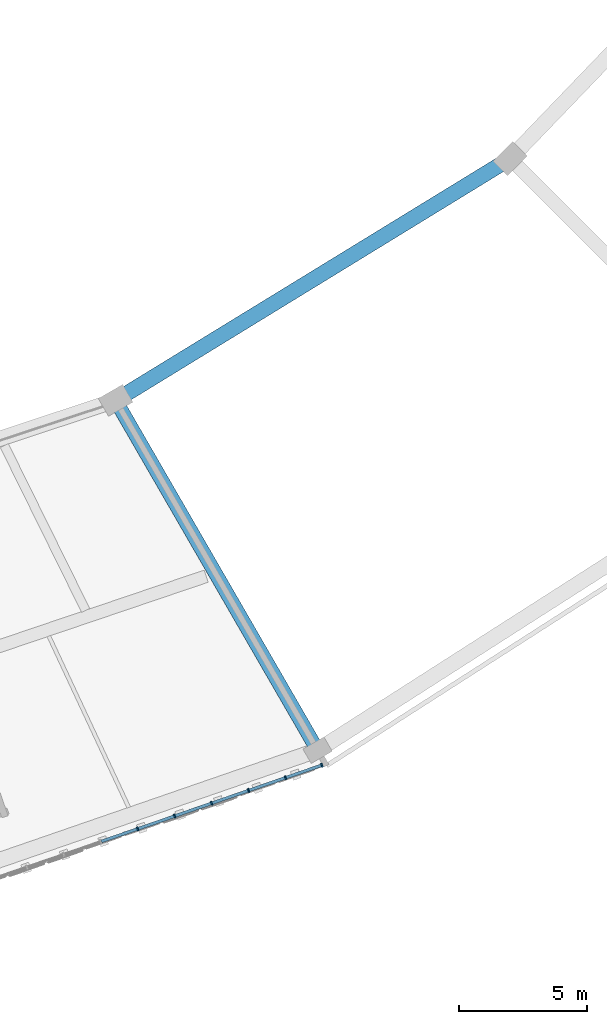
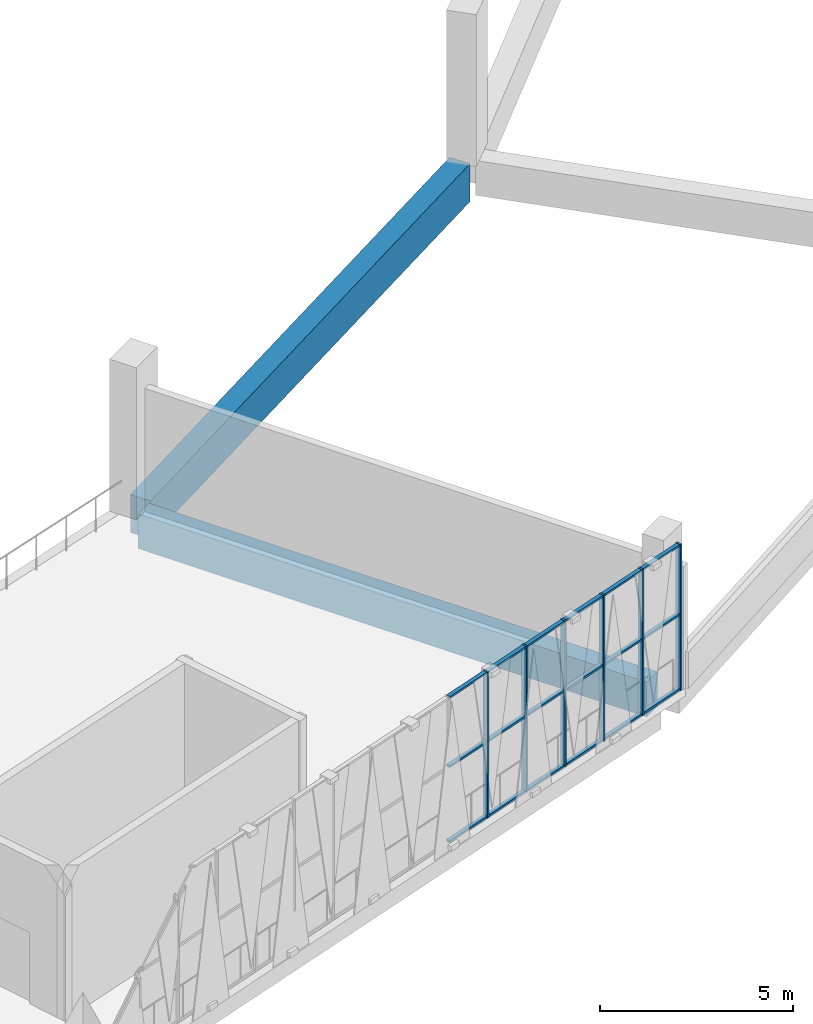
# One storey, part 16 of 64: 24 members, 2 beams, 1 element without a shape of its own.
"""IFC4 building model written with IfcOpenShell, lengths in metres."""

from ifc_helpers import new_model, si_unit, direction, frame, origin, origin_2d, place, context, subcontext, project, spatial, rectangle, extrude, material, material_profile, profile_set, type_object, element, aggregate, save


model = new_model("IFC4")

# Units and contexts
model_context = context("Model", 3, precision=1e-05, world=origin(), true_north=direction((0.0, 1.0)))
body_context = subcontext(model_context, "Body", "Model", "MODEL_VIEW")
ifc_project = project(units=[si_unit("LENGTHUNIT", "METRE"), si_unit("AREAUNIT", "SQUARE_METRE"), si_unit("VOLUMEUNIT", "CUBIC_METRE"), si_unit("PLANEANGLEUNIT", "RADIAN"), si_unit("MASSUNIT", "GRAM", prefix="KILO")], contexts=[model_context])

# Site, building, storey
site_placement = place(None, origin())
site = spatial("IfcSite", under=ifc_project, at=site_placement, CompositionType="ELEMENT")
building_placement = place(site_placement, origin())
building = spatial("IfcBuilding", under=site, at=building_placement, Name="Zevraka Park Crest Stadium", CompositionType="ELEMENT")
storey_placement = place(building_placement, frame((0.0, 0.0, 24.60009765625)))
storey = spatial("IfcBuildingStorey", under=building, at=storey_placement, Name="L05", CompositionType="ELEMENT", Elevation=24.60009765625)

# Beam
ifc_material_1 = material(Name="Concrete C40/50", Category="concrete")
ifc_material_profile_1 = material_profile(ifc_material_1, rectangle(XDim=0.550048828125, YDim=1.10009765625, at=origin_2d()), Name="RC 1100x550")
ifc_profile_set_1 = profile_set([ifc_material_profile_1], Name="Concrete C40/50")
beam_type_1 = type_object("IfcBeamType", Name="BG02", PredefinedType="BEAM", material=ifc_profile_set_1)
beam_1_placement = place(storey_placement, frame((149.39990234375, 40.2109375, -0.56005859375), z_axis=(0.500026023896, -0.86601037836, 0.0), x_axis=(0.86601037836, 0.500026023896, 0.0)))
element("IfcBeam", 1, at=beam_1_placement, inside=storey, type_object=beam_type_1, Name="Radial Girder BG02 L05-BD-20", PredefinedType="BEAM", context=body_context, shape_type="SweptSolid", body=[
    extrude(rectangle(XDim=0.550048828125, YDim=1.10009765625, at=origin_2d()), origin(), (0.0, 0.0, 1.0), 15.199462890625),
])

# Curtain wall, members
ifc_material_2 = material(Name="Anodised architectural aluminium and laminated safety glass", Category="aluminium")
curtain_wall_type = type_object("IfcCurtainWallType", Name="CW22", PredefinedType="NOTDEFINED", material=ifc_material_2)
curtain_wall_placement = place(storey_placement, origin())
curtain_wall = element("IfcCurtainWall", 2, at=curtain_wall_placement, inside=storey, type_object=curtain_wall_type, Name="Unitised Ring Curtain Wall CW22 L05-19", PredefinedType="NOTDEFINED")
ifc_material_3 = material(Name="Anodised architectural aluminium", Category="aluminium")
ifc_material_profile_2 = material_profile(ifc_material_3, rectangle(XDim=0.159912109375, YDim=0.06005859375, at=origin_2d()), Name="ALU MULLION 160x60")
ifc_profile_set_2 = profile_set([ifc_material_profile_2], Name="Anodised architectural aluminium")
member_type_1 = type_object("IfcMemberType", Name="CM01", PredefinedType="MULLION", material=ifc_profile_set_2)
member_1_placement = place(storey_placement, frame((150.1142578125, 23.711669921875, 0.0), z_axis=(0.0, 0.0, 1.0), x_axis=(-0.326929424834, 0.945048755979, 0.0)))
member_1 = element("IfcMember", 3, at=member_1_placement, type_object=member_type_1, Name="CW22 mullion 11", PredefinedType="MULLION", context=body_context, shape_type="SweptSolid", body=[
    extrude(rectangle(XDim=0.159912109375, YDim=0.06005859375, at=origin_2d()), origin(), (0.0, 0.0, 1.0), 4.619873046875),
])
member_2_placement = place(storey_placement, frame((151.559814453125, 24.211669921875, 0.0), z_axis=(0.0, 0.0, 1.0), x_axis=(-0.326929424834, 0.945048755979, 0.0)))
member_2 = element("IfcMember", 4, at=member_2_placement, type_object=member_type_1, Name="CW22 mullion 12", PredefinedType="MULLION", context=body_context, shape_type="SweptSolid", body=[
    extrude(rectangle(XDim=0.159912109375, YDim=0.06005859375, at=origin_2d()), origin(), (0.0, 0.0, 1.0), 4.619873046875),
])
member_3_placement = place(storey_placement, frame((153.00537109375, 24.7119140625, 0.0), z_axis=(0.0, 0.0, 1.0), x_axis=(-0.326929424834, 0.945048755979, 0.0)))
member_3 = element("IfcMember", 5, at=member_3_placement, type_object=member_type_1, Name="CW22 mullion 13", PredefinedType="MULLION", context=body_context, shape_type="SweptSolid", body=[
    extrude(rectangle(XDim=0.159912109375, YDim=0.06005859375, at=origin_2d()), origin(), (0.0, 0.0, 1.0), 4.619873046875),
])
member_4_placement = place(storey_placement, frame((154.450927734375, 25.2119140625, 0.0), z_axis=(0.0, 0.0, 1.0), x_axis=(-0.326929424834, 0.945048755979, 0.0)))
member_4 = element("IfcMember", 6, at=member_4_placement, type_object=member_type_1, Name="CW22 mullion 14", PredefinedType="MULLION", context=body_context, shape_type="SweptSolid", body=[
    extrude(rectangle(XDim=0.159912109375, YDim=0.06005859375, at=origin_2d()), origin(), (0.0, 0.0, 1.0), 4.619873046875),
])
member_5_placement = place(storey_placement, frame((155.896484375, 25.7119140625, 0.0), z_axis=(0.0, 0.0, 1.0), x_axis=(-0.326929424834, 0.945048755979, 0.0)))
member_5 = element("IfcMember", 7, at=member_5_placement, type_object=member_type_1, Name="CW22 mullion 15", PredefinedType="MULLION", context=body_context, shape_type="SweptSolid", body=[
    extrude(rectangle(XDim=0.159912109375, YDim=0.06005859375, at=origin_2d()), origin(), (0.0, 0.0, 1.0), 4.619873046875),
])
member_6_placement = place(storey_placement, frame((157.313720703125, 26.2021484375, 0.0), z_axis=(0.0, 0.0, 1.0), x_axis=(-0.326929424834, 0.945048755979, 0.0)))
member_6 = element("IfcMember", 8, at=member_6_placement, type_object=member_type_1, Name="CW22 mullion 16", PredefinedType="MULLION", context=body_context, shape_type="SweptSolid", body=[
    extrude(rectangle(XDim=0.159912109375, YDim=0.06005859375, at=origin_2d()), origin(), (0.0, 0.0, 1.0), 4.619873046875),
])
ifc_material_4 = material(Name="Anodised architectural aluminium", Category="aluminium")
ifc_material_profile_3 = material_profile(ifc_material_4, rectangle(XDim=0.1201171875, YDim=0.06005859375, at=origin_2d()), Name="ALU TRANSOM 120x60")
ifc_profile_set_3 = profile_set([ifc_material_profile_3], Name="Anodised architectural aluminium")
member_type_2 = type_object("IfcMemberType", Name="CT01", PredefinedType="USERDEFINED", material=ifc_profile_set_3)
member_7_placement = place(storey_placement, frame((148.697265625, 23.221435546875, 0.02978515625), z_axis=(0.945033470844, 0.326973605946, 0.0), x_axis=(-0.326973605946, 0.945033470844, 0.0)))
member_7 = element("IfcMember", 9, at=member_7_placement, type_object=member_type_2, Name="CW22 transom 10.1", ObjectType="TRANSOM", PredefinedType="USERDEFINED", context=body_context, shape_type="SweptSolid", body=[
    extrude(rectangle(XDim=0.1201171875, YDim=0.06005859375, at=origin_2d()), origin(), (0.0, 0.0, 1.0), 1.469482421875),
])
member_8_placement = place(storey_placement, frame((148.697265625, 23.221435546875, 2.39990234375), z_axis=(0.945033470844, 0.326973605946, 0.0), x_axis=(-0.326973605946, 0.945033470844, 0.0)))
member_8 = element("IfcMember", 10, at=member_8_placement, type_object=member_type_2, Name="CW22 transom 10.2", ObjectType="TRANSOM", PredefinedType="USERDEFINED", context=body_context, shape_type="SweptSolid", body=[
    extrude(rectangle(XDim=0.1201171875, YDim=0.06005859375, at=origin_2d()), origin(), (0.0, 0.0, 1.0), 1.469482421875),
])
member_9_placement = place(storey_placement, frame((148.697265625, 23.221435546875, 4.58984375), z_axis=(0.945033470844, 0.326973605946, 0.0), x_axis=(-0.326973605946, 0.945033470844, 0.0)))
member_9 = element("IfcMember", 11, at=member_9_placement, type_object=member_type_2, Name="CW22 transom 10.3", ObjectType="TRANSOM", PredefinedType="USERDEFINED", context=body_context, shape_type="SweptSolid", body=[
    extrude(rectangle(XDim=0.1201171875, YDim=0.06005859375, at=origin_2d()), origin(), (0.0, 0.0, 1.0), 1.469482421875),
])
member_10_placement = place(storey_placement, frame((150.142578125, 23.721435546875, 0.02978515625), z_axis=(0.945051229525, 0.326922274513, 0.0), x_axis=(-0.326922274513, 0.945051229525, 0.0)))
member_10 = element("IfcMember", 12, at=member_10_placement, type_object=member_type_2, Name="CW22 transom 11.1", ObjectType="TRANSOM", PredefinedType="USERDEFINED", context=body_context, shape_type="SweptSolid", body=[
    extrude(rectangle(XDim=0.1201171875, YDim=0.06005859375, at=origin_2d()), origin(), (0.0, 0.0, 1.0), 1.4697265625),
])
member_11_placement = place(storey_placement, frame((150.142578125, 23.721435546875, 2.39990234375), z_axis=(0.945051229525, 0.326922274513, 0.0), x_axis=(-0.326922274513, 0.945051229525, 0.0)))
member_11 = element("IfcMember", 13, at=member_11_placement, type_object=member_type_2, Name="CW22 transom 11.2", ObjectType="TRANSOM", PredefinedType="USERDEFINED", context=body_context, shape_type="SweptSolid", body=[
    extrude(rectangle(XDim=0.1201171875, YDim=0.06005859375, at=origin_2d()), origin(), (0.0, 0.0, 1.0), 1.4697265625),
])
member_12_placement = place(storey_placement, frame((150.142578125, 23.721435546875, 4.58984375), z_axis=(0.945051229525, 0.326922274513, 0.0), x_axis=(-0.326922274513, 0.945051229525, 0.0)))
member_12 = element("IfcMember", 14, at=member_12_placement, type_object=member_type_2, Name="CW22 transom 11.3", ObjectType="TRANSOM", PredefinedType="USERDEFINED", context=body_context, shape_type="SweptSolid", body=[
    extrude(rectangle(XDim=0.1201171875, YDim=0.06005859375, at=origin_2d()), origin(), (0.0, 0.0, 1.0), 1.4697265625),
])
member_13_placement = place(storey_placement, frame((151.588134765625, 24.221435546875, 0.02978515625), z_axis=(0.945051229525, 0.326922274513, 0.0), x_axis=(-0.326922274513, 0.945051229525, 0.0)))
member_13 = element("IfcMember", 15, at=member_13_placement, type_object=member_type_2, Name="CW22 transom 12.1", ObjectType="TRANSOM", PredefinedType="USERDEFINED", context=body_context, shape_type="SweptSolid", body=[
    extrude(rectangle(XDim=0.1201171875, YDim=0.06005859375, at=origin_2d()), origin(), (0.0, 0.0, 1.0), 1.4697265625),
])
member_14_placement = place(storey_placement, frame((151.588134765625, 24.221435546875, 2.39990234375), z_axis=(0.945051229525, 0.326922274513, 0.0), x_axis=(-0.326922274513, 0.945051229525, 0.0)))
member_14 = element("IfcMember", 16, at=member_14_placement, type_object=member_type_2, Name="CW22 transom 12.2", ObjectType="TRANSOM", PredefinedType="USERDEFINED", context=body_context, shape_type="SweptSolid", body=[
    extrude(rectangle(XDim=0.1201171875, YDim=0.06005859375, at=origin_2d()), origin(), (0.0, 0.0, 1.0), 1.4697265625),
])
member_15_placement = place(storey_placement, frame((151.588134765625, 24.221435546875, 4.58984375), z_axis=(0.945051229525, 0.326922274513, 0.0), x_axis=(-0.326922274513, 0.945051229525, 0.0)))
member_15 = element("IfcMember", 17, at=member_15_placement, type_object=member_type_2, Name="CW22 transom 12.3", ObjectType="TRANSOM", PredefinedType="USERDEFINED", context=body_context, shape_type="SweptSolid", body=[
    extrude(rectangle(XDim=0.1201171875, YDim=0.06005859375, at=origin_2d()), origin(), (0.0, 0.0, 1.0), 1.4697265625),
])
member_16_placement = place(storey_placement, frame((153.03369140625, 24.7216796875, 0.02978515625), z_axis=(0.945051229525, 0.326922274513, 0.0), x_axis=(-0.326922274513, 0.945051229525, 0.0)))
member_16 = element("IfcMember", 18, at=member_16_placement, type_object=member_type_2, Name="CW22 transom 13.1", ObjectType="TRANSOM", PredefinedType="USERDEFINED", context=body_context, shape_type="SweptSolid", body=[
    extrude(rectangle(XDim=0.1201171875, YDim=0.06005859375, at=origin_2d()), origin(), (0.0, 0.0, 1.0), 1.4697265625),
])
member_17_placement = place(storey_placement, frame((153.03369140625, 24.7216796875, 2.39990234375), z_axis=(0.945051229525, 0.326922274513, 0.0), x_axis=(-0.326922274513, 0.945051229525, 0.0)))
member_17 = element("IfcMember", 19, at=member_17_placement, type_object=member_type_2, Name="CW22 transom 13.2", ObjectType="TRANSOM", PredefinedType="USERDEFINED", context=body_context, shape_type="SweptSolid", body=[
    extrude(rectangle(XDim=0.1201171875, YDim=0.06005859375, at=origin_2d()), origin(), (0.0, 0.0, 1.0), 1.4697265625),
])
member_18_placement = place(storey_placement, frame((153.03369140625, 24.7216796875, 4.58984375), z_axis=(0.945051229525, 0.326922274513, 0.0), x_axis=(-0.326922274513, 0.945051229525, 0.0)))
member_18 = element("IfcMember", 20, at=member_18_placement, type_object=member_type_2, Name="CW22 transom 13.3", ObjectType="TRANSOM", PredefinedType="USERDEFINED", context=body_context, shape_type="SweptSolid", body=[
    extrude(rectangle(XDim=0.1201171875, YDim=0.06005859375, at=origin_2d()), origin(), (0.0, 0.0, 1.0), 1.4697265625),
])
member_19_placement = place(storey_placement, frame((154.479248046875, 25.2216796875, 0.02978515625), z_axis=(0.945051229525, 0.326922274513, 0.0), x_axis=(-0.326922274513, 0.945051229525, 0.0)))
member_19 = element("IfcMember", 21, at=member_19_placement, type_object=member_type_2, Name="CW22 transom 14.1", ObjectType="TRANSOM", PredefinedType="USERDEFINED", context=body_context, shape_type="SweptSolid", body=[
    extrude(rectangle(XDim=0.1201171875, YDim=0.06005859375, at=origin_2d()), origin(), (0.0, 0.0, 1.0), 1.4697265625),
])
member_20_placement = place(storey_placement, frame((154.479248046875, 25.2216796875, 2.39990234375), z_axis=(0.945051229525, 0.326922274513, 0.0), x_axis=(-0.326922274513, 0.945051229525, 0.0)))
member_20 = element("IfcMember", 22, at=member_20_placement, type_object=member_type_2, Name="CW22 transom 14.2", ObjectType="TRANSOM", PredefinedType="USERDEFINED", context=body_context, shape_type="SweptSolid", body=[
    extrude(rectangle(XDim=0.1201171875, YDim=0.06005859375, at=origin_2d()), origin(), (0.0, 0.0, 1.0), 1.4697265625),
])
member_21_placement = place(storey_placement, frame((154.479248046875, 25.2216796875, 4.58984375), z_axis=(0.945051229525, 0.326922274513, 0.0), x_axis=(-0.326922274513, 0.945051229525, 0.0)))
member_21 = element("IfcMember", 23, at=member_21_placement, type_object=member_type_2, Name="CW22 transom 14.3", ObjectType="TRANSOM", PredefinedType="USERDEFINED", context=body_context, shape_type="SweptSolid", body=[
    extrude(rectangle(XDim=0.1201171875, YDim=0.06005859375, at=origin_2d()), origin(), (0.0, 0.0, 1.0), 1.4697265625),
])
member_22_placement = place(storey_placement, frame((155.9248046875, 25.7216796875, 0.02978515625), z_axis=(0.945044524948, 0.326941655141, 0.0), x_axis=(-0.326941655141, 0.945044524948, 0.0)))
member_22 = element("IfcMember", 24, at=member_22_placement, type_object=member_type_2, Name="CW22 transom 15.1", ObjectType="TRANSOM", PredefinedType="USERDEFINED", context=body_context, shape_type="SweptSolid", body=[
    extrude(rectangle(XDim=0.1201171875, YDim=0.06005859375, at=origin_2d()), origin(), (0.0, 0.0, 1.0), 1.439697265625),
])
member_23_placement = place(storey_placement, frame((155.9248046875, 25.7216796875, 2.39990234375), z_axis=(0.945044524948, 0.326941655141, 0.0), x_axis=(-0.326941655141, 0.945044524948, 0.0)))
member_23 = element("IfcMember", 25, at=member_23_placement, type_object=member_type_2, Name="CW22 transom 15.2", ObjectType="TRANSOM", PredefinedType="USERDEFINED", context=body_context, shape_type="SweptSolid", body=[
    extrude(rectangle(XDim=0.1201171875, YDim=0.06005859375, at=origin_2d()), origin(), (0.0, 0.0, 1.0), 1.439697265625),
])
member_24_placement = place(storey_placement, frame((155.9248046875, 25.7216796875, 4.58984375), z_axis=(0.945044524948, 0.326941655141, 0.0), x_axis=(-0.326941655141, 0.945044524948, 0.0)))
member_24 = element("IfcMember", 26, at=member_24_placement, type_object=member_type_2, Name="CW22 transom 15.3", ObjectType="TRANSOM", PredefinedType="USERDEFINED", context=body_context, shape_type="SweptSolid", body=[
    extrude(rectangle(XDim=0.1201171875, YDim=0.06005859375, at=origin_2d()), origin(), (0.0, 0.0, 1.0), 1.439697265625),
])
aggregate(curtain_wall, [member_1, member_2, member_3, member_4, member_5, member_6, member_7, member_8, member_9, member_10, member_11, member_12, member_13, member_14, member_15, member_16, member_17, member_18, member_19, member_20, member_21, member_22, member_23, member_24])

# Beam
ifc_material_5 = material(Name="Concrete C40/50", Category="concrete")
ifc_material_profile_4 = material_profile(ifc_material_5, rectangle(XDim=0.60009765625, YDim=1.199951171875, at=origin_2d()), Name="RC 1200x600")
ifc_profile_set_4 = profile_set([ifc_material_profile_4], Name="Concrete C40/50")
beam_type_2 = type_object("IfcBeamType", Name="RB01", PredefinedType="BEAM", material=ifc_profile_set_4)
beam_2_placement = place(storey_placement, frame((149.573974609375, 40.669921875, -0.610107421875), z_axis=(0.852632623571, 0.522510869956, 0.0), x_axis=(-0.522510869956, 0.852632623571, 0.0)))
element("IfcBeam", 27, at=beam_2_placement, inside=storey, type_object=beam_type_2, Name="Ring Beam RB01 L05-B-20", PredefinedType="BEAM", context=body_context, shape_type="SweptSolid", body=[
    extrude(rectangle(XDim=0.60009765625, YDim=1.199951171875, at=origin_2d()), origin(), (0.0, 0.0, 1.0), 17.335693359375),
])

save(model, "model.ifc")
